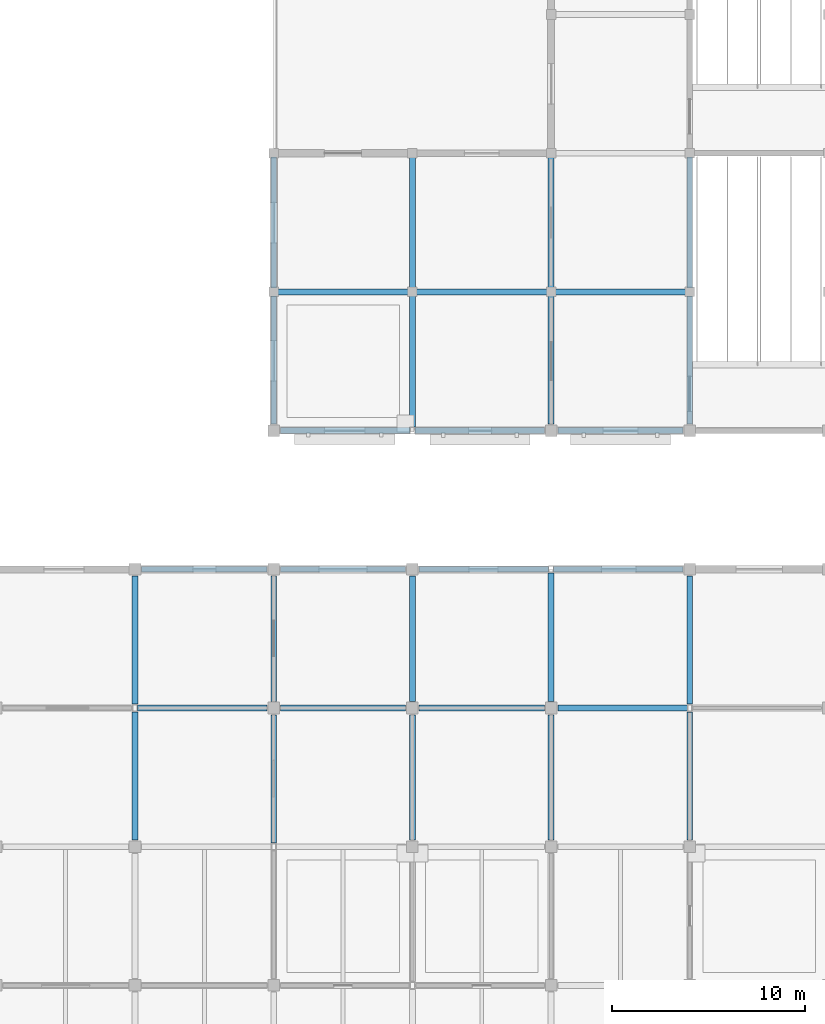
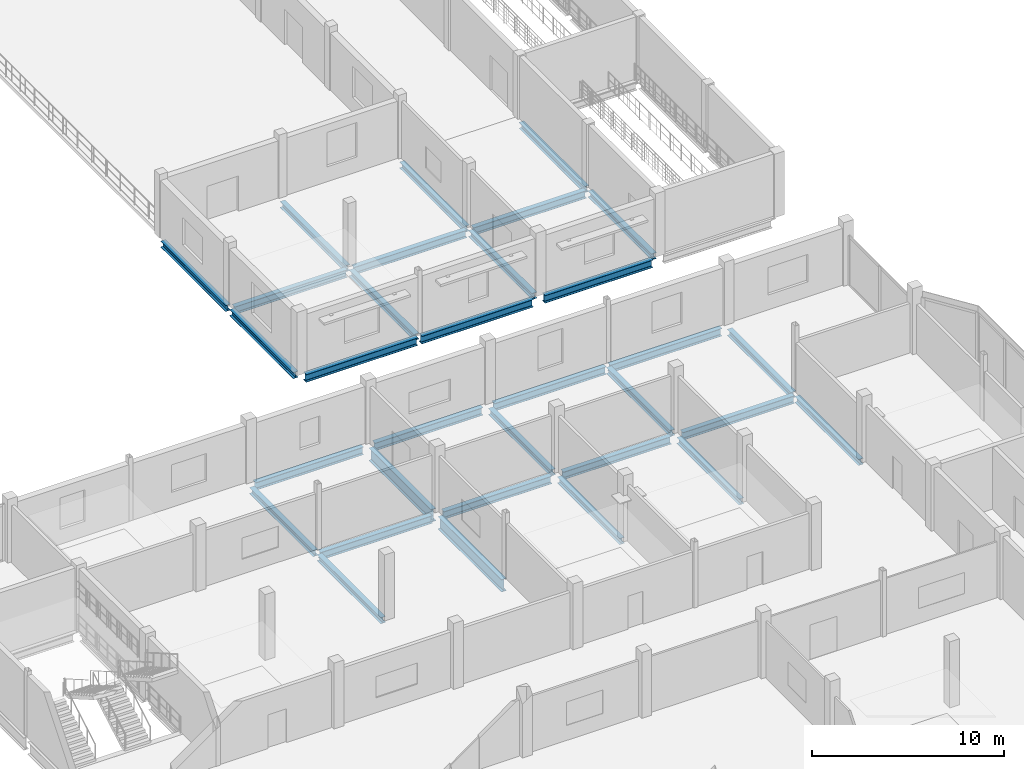
# One storey, part 31 of 51: 32 beams.
"""IFC4 building model written with IfcOpenShell, lengths in metres."""

from ifc_helpers import new_model, si_unit, direction, frame, origin, origin_2d, place, context, subcontext, project, spatial, i_section, extrude, material, material_profile, profile_set, type_object, element, save


model = new_model("IFC4")

# Units and contexts
model_context = context("Model", 3, precision=1e-05, world=origin(), true_north=direction((0.0, 1.0)))
body_context = subcontext(model_context, "Body", "Model", "MODEL_VIEW")
ifc_project = project(units=[si_unit("LENGTHUNIT", "METRE"), si_unit("AREAUNIT", "SQUARE_METRE"), si_unit("VOLUMEUNIT", "CUBIC_METRE"), si_unit("PLANEANGLEUNIT", "RADIAN"), si_unit("MASSUNIT", "GRAM", prefix="KILO")], contexts=[model_context])

# Site, building, storey
site_placement = place(None, origin())
site = spatial("IfcSite", under=ifc_project, at=site_placement, CompositionType="ELEMENT")
building_placement = place(site_placement, origin())
building = spatial("IfcBuilding", under=site, at=building_placement, Name="Vesperath Aquatics Centre", CompositionType="ELEMENT")
storey_placement = place(building_placement, frame((0.0, 0.0, 15.0)))
storey = spatial("IfcBuildingStorey", under=building, at=storey_placement, Name="L03", CompositionType="ELEMENT", Elevation=15.0)

# Beams
ifc_material_1 = material(Name="Steel Q355D", Category="steel")
ifc_material_profile_1 = material_profile(ifc_material_1, i_section(OverallWidth=0.300048828125, OverallDepth=0.800048828125, WebThickness=0.013916015625, FlangeThickness=0.02587890625, FilletRadius=0.028076171875, at=origin_2d()), Name="HN 800x300x14x26")
ifc_profile_set_1 = profile_set([ifc_material_profile_1], Name="Steel Q355D")
beam_type_1 = type_object("IfcBeamType", Name="BM-G07", PredefinedType="BEAM", material=ifc_profile_set_1)
beam_1_placement = place(storey_placement, frame((144.0, 29.0, -0.639892578125), z_axis=(0.0, 1.0, 0.0), x_axis=(-1.0, 0.0, 0.0)))
element("IfcBeam", 1, at=beam_1_placement, inside=storey, type_object=beam_type_1, Name="Floor Girder B07 L03 21 E-F", PredefinedType="BEAM", context=body_context, shape_type="SweptSolid", body=[
    extrude(i_section(OverallWidth=0.300048828125, OverallDepth=0.800048828125, WebThickness=0.013916015625, FlangeThickness=0.02587890625, FilletRadius=0.028076171875, at=origin_2d()), origin(), (0.0, 0.0, 1.0), 6.64990234375),
])
beam_2_placement = place(storey_placement, frame((144.0, 36.35009765625, -0.639892578125), z_axis=(0.0, 1.0, 0.0), x_axis=(-1.0, 0.0, 0.0)))
element("IfcBeam", 2, at=beam_2_placement, inside=storey, type_object=beam_type_1, Name="Floor Girder B07 L03 21 F-G", PredefinedType="BEAM", context=body_context, shape_type="SweptSolid", body=[
    extrude(i_section(OverallWidth=0.300048828125, OverallDepth=0.800048828125, WebThickness=0.013916015625, FlangeThickness=0.02587890625, FilletRadius=0.028076171875, at=origin_2d()), origin(), (0.0, 0.0, 1.0), 6.5),
])
ifc_material_2 = material(Name="Steel Q355C", Category="steel")
ifc_material_profile_2 = material_profile(ifc_material_2, i_section(OverallWidth=0.300048828125, OverallDepth=0.488037109375, WebThickness=0.010986328125, FlangeThickness=0.01806640625, FilletRadius=0.02587890625, at=origin_2d()), Name="HM 488x300x11x18")
ifc_profile_set_2 = profile_set([ifc_material_profile_2], Name="Steel Q355C")
beam_type_2 = type_object("IfcBeamType", Name="BM-G10", PredefinedType="BEAM", material=ifc_profile_set_2)
beam_3_placement = place(storey_placement, frame((136.925048828125, 36.0, -0.48388671875), z_axis=(1.0, 0.0, 0.0), x_axis=(0.0, 1.0, 0.0)))
element("IfcBeam", 3, at=beam_3_placement, inside=storey, type_object=beam_type_2, Name="Floor Girder B10 L03 F 20-21", PredefinedType="BEAM", context=body_context, shape_type="SweptSolid", body=[
    extrude(i_section(OverallWidth=0.300048828125, OverallDepth=0.488037109375, WebThickness=0.010986328125, FlangeThickness=0.01806640625, FilletRadius=0.02587890625, at=origin_2d()), origin(), (0.0, 0.0, 1.0), 6.724853515625),
])
for number, where, z_axis, x_axis, name in (
    (4, (137.14990234375, 43.199951171875, -0.48388671875), (1.0, 0.0, 0.0), (0.0, 1.0, 0.0), "Floor Girder B10 L03 G 20-21"),
    (5, (144.35009765625, 36.0, -0.48388671875), (1.0, 0.0, 0.0), (0.0, 1.0, 0.0), "Floor Girder B10 L03 F 21-22"),
    (6, (144.35009765625, 43.199951171875, -0.48388671875), (1.0, 0.0, 0.0), (0.0, 1.0, 0.0), "Floor Girder B10 L03 G 21-22"),
):
    element("IfcBeam", number, at=place(storey_placement, frame(where, z_axis=z_axis, x_axis=x_axis)), inside=storey, type_object=beam_type_2, Name=name, PredefinedType="BEAM", context=body_context, shape_type="SweptSolid", body=[
        extrude(i_section(OverallWidth=0.300048828125, OverallDepth=0.488037109375, WebThickness=0.010986328125, FlangeThickness=0.01806640625, FilletRadius=0.02587890625, at=origin_2d()), origin(), (0.0, 0.0, 1.0), 6.5),
    ])
beam_4_placement = place(storey_placement, frame((144.35009765625, 50.39990234375, -0.48388671875), z_axis=(1.0, 0.0, 0.0), x_axis=(0.0, 1.0, 0.0)))
element("IfcBeam", 7, at=beam_4_placement, inside=storey, type_object=beam_type_2, Name="Floor Girder B10 L03 H 21-22", PredefinedType="BEAM", context=body_context, shape_type="SweptSolid", body=[
    extrude(i_section(OverallWidth=0.300048828125, OverallDepth=0.488037109375, WebThickness=0.010986328125, FlangeThickness=0.01806640625, FilletRadius=0.02587890625, at=origin_2d()), origin(), (0.0, 0.0, 1.0), 6.724853515625),
])
beam_5_placement = place(storey_placement, frame((144.203125, 57.60009765625, -0.48388671875), z_axis=(1.0, 0.0, 0.0), x_axis=(0.0, 1.0, 0.0)))
element("IfcBeam", 8, at=beam_5_placement, inside=storey, type_object=beam_type_2, Name="Floor Girder B10 L03 J 21-22", PredefinedType="BEAM", context=body_context, shape_type="SweptSolid", body=[
    extrude(i_section(OverallWidth=0.300048828125, OverallDepth=0.488037109375, WebThickness=0.010986328125, FlangeThickness=0.01806640625, FilletRadius=0.02587890625, at=origin_2d()), origin(), (0.0, 0.0, 1.0), 6.793701171875),
])
beam_6_placement = place(storey_placement, frame((151.550048828125, 36.0, -0.48388671875), z_axis=(1.0, 0.0, 0.0), x_axis=(0.0, 1.0, 0.0)))
element("IfcBeam", 9, at=beam_6_placement, inside=storey, type_object=beam_type_2, Name="Floor Girder B10 L03 F 22-23", PredefinedType="BEAM", context=body_context, shape_type="SweptSolid", body=[
    extrude(i_section(OverallWidth=0.300048828125, OverallDepth=0.488037109375, WebThickness=0.010986328125, FlangeThickness=0.01806640625, FilletRadius=0.02587890625, at=origin_2d()), origin(), (0.0, 0.0, 1.0), 6.5),
])
beam_7_placement = place(storey_placement, frame((151.550048828125, 43.199951171875, -0.48388671875), z_axis=(1.0, 0.0, 0.0), x_axis=(0.0, 1.0, 0.0)))
element("IfcBeam", 10, at=beam_7_placement, inside=storey, type_object=beam_type_2, Name="Floor Girder B10 L03 G 22-23", PredefinedType="BEAM", context=body_context, shape_type="SweptSolid", body=[
    extrude(i_section(OverallWidth=0.300048828125, OverallDepth=0.488037109375, WebThickness=0.010986328125, FlangeThickness=0.01806640625, FilletRadius=0.02587890625, at=origin_2d()), origin(), (0.0, 0.0, 1.0), 6.724853515625),
])
beam_8_placement = place(storey_placement, frame((151.324951171875, 50.39990234375, -0.48388671875), z_axis=(1.0, 0.0, 0.0), x_axis=(0.0, 1.0, 0.0)))
element("IfcBeam", 11, at=beam_8_placement, inside=storey, type_object=beam_type_2, Name="Floor Girder B10 L03 H 22-23", PredefinedType="BEAM", context=body_context, shape_type="SweptSolid", body=[
    extrude(i_section(OverallWidth=0.300048828125, OverallDepth=0.488037109375, WebThickness=0.010986328125, FlangeThickness=0.01806640625, FilletRadius=0.02587890625, at=origin_2d()), origin(), (0.0, 0.0, 1.0), 6.72509765625),
])
beam_9_placement = place(storey_placement, frame((151.4033203125, 57.60009765625, -0.48388671875), z_axis=(1.0, 0.0, 0.0), x_axis=(0.0, 1.0, 0.0)))
element("IfcBeam", 12, at=beam_9_placement, inside=storey, type_object=beam_type_2, Name="Floor Girder B10 L03 J 22-23", PredefinedType="BEAM", context=body_context, shape_type="SweptSolid", body=[
    extrude(i_section(OverallWidth=0.300048828125, OverallDepth=0.488037109375, WebThickness=0.010986328125, FlangeThickness=0.01806640625, FilletRadius=0.02587890625, at=origin_2d()), origin(), (0.0, 0.0, 1.0), 6.79345703125),
])
for number, where, z_axis, x_axis, name in (
    (13, (158.75, 36.0, -0.48388671875), (1.0, 0.0, 0.0), (0.0, 1.0, 0.0), "Floor Girder B10 L03 F 23-24"),
    (14, (158.52490234375, 43.199951171875, -0.48388671875), (1.0, 0.0, 0.0), (0.0, 1.0, 0.0), "Floor Girder B10 L03 G 23-24"),
):
    element("IfcBeam", number, at=place(storey_placement, frame(where, z_axis=z_axis, x_axis=x_axis)), inside=storey, type_object=beam_type_2, Name=name, PredefinedType="BEAM", context=body_context, shape_type="SweptSolid", body=[
        extrude(i_section(OverallWidth=0.300048828125, OverallDepth=0.488037109375, WebThickness=0.010986328125, FlangeThickness=0.01806640625, FilletRadius=0.02587890625, at=origin_2d()), origin(), (0.0, 0.0, 1.0), 6.72509765625),
    ])
beam_10_placement = place(storey_placement, frame((158.75, 50.39990234375, -0.48388671875), z_axis=(1.0, 0.0, 0.0), x_axis=(0.0, 1.0, 0.0)))
element("IfcBeam", 15, at=beam_10_placement, inside=storey, type_object=beam_type_2, Name="Floor Girder B10 L03 H 23-24", PredefinedType="BEAM", context=body_context, shape_type="SweptSolid", body=[
    extrude(i_section(OverallWidth=0.300048828125, OverallDepth=0.488037109375, WebThickness=0.010986328125, FlangeThickness=0.01806640625, FilletRadius=0.02587890625, at=origin_2d()), origin(), (0.0, 0.0, 1.0), 6.5),
])
beam_11_placement = place(storey_placement, frame((158.603271484375, 57.60009765625, -0.48388671875), z_axis=(1.0, 0.0, 0.0), x_axis=(0.0, 1.0, 0.0)))
element("IfcBeam", 16, at=beam_11_placement, inside=storey, type_object=beam_type_2, Name="Floor Girder B10 L03 J 23-24", PredefinedType="BEAM", context=body_context, shape_type="SweptSolid", body=[
    extrude(i_section(OverallWidth=0.300048828125, OverallDepth=0.488037109375, WebThickness=0.010986328125, FlangeThickness=0.01806640625, FilletRadius=0.02587890625, at=origin_2d()), origin(), (0.0, 0.0, 1.0), 6.79345703125),
])
ifc_material_profile_3 = material_profile(ifc_material_2, i_section(OverallWidth=0.300048828125, OverallDepth=0.389892578125, WebThickness=0.010009765625, FlangeThickness=0.01611328125, FilletRadius=0.02197265625, at=origin_2d()), Name="HM 390x300x10x16")
ifc_profile_set_3 = profile_set([ifc_material_profile_3], Name="Steel Q355C")
beam_type_3 = type_object("IfcBeamType", Name="BM-G11", PredefinedType="BEAM", material=ifc_profile_set_3)
for number, where, z_axis, x_axis, name in (
    (17, (136.800048828125, 29.14990234375, -0.43505859375), (0.0, 1.0, 0.0), (-1.0, 0.0, 0.0), "Floor Girder B11 L03 20 E-F"),
    (18, (136.800048828125, 36.199951171875, -0.43505859375), (0.0, 1.0, 0.0), (-1.0, 0.0, 0.0), "Floor Girder B11 L03 20 F-G"),
):
    element("IfcBeam", number, at=place(storey_placement, frame(where, z_axis=z_axis, x_axis=x_axis)), inside=storey, type_object=beam_type_3, Name=name, PredefinedType="BEAM", context=body_context, shape_type="SweptSolid", body=[
        extrude(i_section(OverallWidth=0.300048828125, OverallDepth=0.389892578125, WebThickness=0.010009765625, FlangeThickness=0.01611328125, FilletRadius=0.02197265625, at=origin_2d()), origin(), (0.0, 0.0, 1.0), 6.650146484375),
    ])
beam_12_placement = place(storey_placement, frame((144.0, 50.75, -0.43505859375), z_axis=(0.0, 1.0, 0.0), x_axis=(-1.0, 0.0, 0.0)))
element("IfcBeam", 19, at=beam_12_placement, inside=storey, type_object=beam_type_3, Name="Floor Girder B11 L03 21 H-J", PredefinedType="BEAM", context=body_context, shape_type="SweptSolid", body=[
    extrude(i_section(OverallWidth=0.300048828125, OverallDepth=0.389892578125, WebThickness=0.010009765625, FlangeThickness=0.01611328125, FilletRadius=0.02197265625, at=origin_2d()), origin(), (0.0, 0.0, 1.0), 6.646728515625),
])
beam_13_placement = place(storey_placement, frame((144.0, 57.80322265625, -0.43505859375), z_axis=(0.0, 1.0, 0.0), x_axis=(-1.0, 0.0, 0.0)))
element("IfcBeam", 20, at=beam_13_placement, inside=storey, type_object=beam_type_3, Name="Floor Girder B11 L03 21 J-K", PredefinedType="BEAM", context=body_context, shape_type="SweptSolid", body=[
    extrude(i_section(OverallWidth=0.300048828125, OverallDepth=0.389892578125, WebThickness=0.010009765625, FlangeThickness=0.01611328125, FilletRadius=0.02197265625, at=origin_2d()), origin(), (0.0, 0.0, 1.0), 6.79345703125),
])
for number, where, z_axis, x_axis, name in (
    (21, (151.199951171875, 29.14990234375, -0.43505859375), (0.0, 1.0, 0.0), (-1.0, 0.0, 0.0), "Floor Girder B11 L03 22 E-F"),
    (22, (151.199951171875, 36.35009765625, -0.43505859375), (0.0, 1.0, 0.0), (-1.0, 0.0, 0.0), "Floor Girder B11 L03 22 F-G"),
):
    element("IfcBeam", number, at=place(storey_placement, frame(where, z_axis=z_axis, x_axis=x_axis)), inside=storey, type_object=beam_type_3, Name=name, PredefinedType="BEAM", context=body_context, shape_type="SweptSolid", body=[
        extrude(i_section(OverallWidth=0.300048828125, OverallDepth=0.389892578125, WebThickness=0.010009765625, FlangeThickness=0.01611328125, FilletRadius=0.02197265625, at=origin_2d()), origin(), (0.0, 0.0, 1.0), 6.5),
    ])
beam_14_placement = place(storey_placement, frame((151.199951171875, 50.60009765625, -0.43505859375), z_axis=(0.0, 1.0, 0.0), x_axis=(-1.0, 0.0, 0.0)))
element("IfcBeam", 23, at=beam_14_placement, inside=storey, type_object=beam_type_3, Name="Floor Girder B11 L03 22 H-J", PredefinedType="BEAM", context=body_context, shape_type="SweptSolid", body=[
    extrude(i_section(OverallWidth=0.300048828125, OverallDepth=0.389892578125, WebThickness=0.010009765625, FlangeThickness=0.01611328125, FilletRadius=0.02197265625, at=origin_2d()), origin(), (0.0, 0.0, 1.0), 6.796630859375),
])
beam_15_placement = place(storey_placement, frame((151.199951171875, 57.80322265625, -0.43505859375), z_axis=(0.0, 1.0, 0.0), x_axis=(-1.0, 0.0, 0.0)))
element("IfcBeam", 24, at=beam_15_placement, inside=storey, type_object=beam_type_3, Name="Floor Girder B11 L03 22 J-K", PredefinedType="BEAM", context=body_context, shape_type="SweptSolid", body=[
    extrude(i_section(OverallWidth=0.300048828125, OverallDepth=0.389892578125, WebThickness=0.010009765625, FlangeThickness=0.01611328125, FilletRadius=0.02197265625, at=origin_2d()), origin(), (0.0, 0.0, 1.0), 6.79345703125),
])
beam_16_placement = place(storey_placement, frame((158.39990234375, 29.14990234375, -0.43505859375), z_axis=(0.0, 1.0, 0.0), x_axis=(-1.0, 0.0, 0.0)))
element("IfcBeam", 25, at=beam_16_placement, inside=storey, type_object=beam_type_3, Name="Floor Girder B11 L03 23 E-F", PredefinedType="BEAM", context=body_context, shape_type="SweptSolid", body=[
    extrude(i_section(OverallWidth=0.300048828125, OverallDepth=0.389892578125, WebThickness=0.010009765625, FlangeThickness=0.01611328125, FilletRadius=0.02197265625, at=origin_2d()), origin(), (0.0, 0.0, 1.0), 6.5),
])
beam_17_placement = place(storey_placement, frame((158.39990234375, 36.35009765625, -0.43505859375), z_axis=(0.0, 1.0, 0.0), x_axis=(-1.0, 0.0, 0.0)))
element("IfcBeam", 26, at=beam_17_placement, inside=storey, type_object=beam_type_3, Name="Floor Girder B11 L03 23 F-G", PredefinedType="BEAM", context=body_context, shape_type="SweptSolid", body=[
    extrude(i_section(OverallWidth=0.300048828125, OverallDepth=0.389892578125, WebThickness=0.010009765625, FlangeThickness=0.01611328125, FilletRadius=0.02197265625, at=origin_2d()), origin(), (0.0, 0.0, 1.0), 6.64990234375),
])
beam_18_placement = place(storey_placement, frame((158.39990234375, 50.75, -0.43505859375), z_axis=(0.0, 1.0, 0.0), x_axis=(-1.0, 0.0, 0.0)))
element("IfcBeam", 27, at=beam_18_placement, inside=storey, type_object=beam_type_3, Name="Floor Girder B11 L03 23 H-J", PredefinedType="BEAM", context=body_context, shape_type="SweptSolid", body=[
    extrude(i_section(OverallWidth=0.300048828125, OverallDepth=0.389892578125, WebThickness=0.010009765625, FlangeThickness=0.01611328125, FilletRadius=0.02197265625, at=origin_2d()), origin(), (0.0, 0.0, 1.0), 6.646728515625),
])
beam_19_placement = place(storey_placement, frame((158.39990234375, 57.80322265625, -0.43505859375), z_axis=(0.0, 1.0, 0.0), x_axis=(-1.0, 0.0, 0.0)))
element("IfcBeam", 28, at=beam_19_placement, inside=storey, type_object=beam_type_3, Name="Floor Girder B11 L03 23 J-K", PredefinedType="BEAM", context=body_context, shape_type="SweptSolid", body=[
    extrude(i_section(OverallWidth=0.300048828125, OverallDepth=0.389892578125, WebThickness=0.010009765625, FlangeThickness=0.01611328125, FilletRadius=0.02197265625, at=origin_2d()), origin(), (0.0, 0.0, 1.0), 6.79345703125),
])
for number, where, z_axis, x_axis, name in (
    (29, (165.60009765625, 29.14990234375, -0.43505859375), (0.0, 1.0, 0.0), (-1.0, 0.0, 0.0), "Floor Girder B11 L03 24 E-F"),
    (30, (165.60009765625, 36.199951171875, -0.43505859375), (0.0, 1.0, 0.0), (-1.0, 0.0, 0.0), "Floor Girder B11 L03 24 F-G"),
):
    element("IfcBeam", number, at=place(storey_placement, frame(where, z_axis=z_axis, x_axis=x_axis)), inside=storey, type_object=beam_type_3, Name=name, PredefinedType="BEAM", context=body_context, shape_type="SweptSolid", body=[
        extrude(i_section(OverallWidth=0.300048828125, OverallDepth=0.389892578125, WebThickness=0.010009765625, FlangeThickness=0.01611328125, FilletRadius=0.02197265625, at=origin_2d()), origin(), (0.0, 0.0, 1.0), 6.650146484375),
    ])
beam_20_placement = place(storey_placement, frame((165.60009765625, 50.75, -0.43505859375), z_axis=(0.0, 1.0, 0.0), x_axis=(-1.0, 0.0, 0.0)))
element("IfcBeam", 31, at=beam_20_placement, inside=storey, type_object=beam_type_3, Name="Floor Girder B11 L03 24 H-J", PredefinedType="BEAM", context=body_context, shape_type="SweptSolid", body=[
    extrude(i_section(OverallWidth=0.300048828125, OverallDepth=0.389892578125, WebThickness=0.010009765625, FlangeThickness=0.01611328125, FilletRadius=0.02197265625, at=origin_2d()), origin(), (0.0, 0.0, 1.0), 6.646728515625),
])
beam_21_placement = place(storey_placement, frame((165.60009765625, 57.80322265625, -0.43505859375), z_axis=(0.0, 1.0, 0.0), x_axis=(-1.0, 0.0, 0.0)))
element("IfcBeam", 32, at=beam_21_placement, inside=storey, type_object=beam_type_3, Name="Floor Girder B11 L03 24 J-K", PredefinedType="BEAM", context=body_context, shape_type="SweptSolid", body=[
    extrude(i_section(OverallWidth=0.300048828125, OverallDepth=0.389892578125, WebThickness=0.010009765625, FlangeThickness=0.01611328125, FilletRadius=0.02197265625, at=origin_2d()), origin(), (0.0, 0.0, 1.0), 6.79345703125),
])

save(model, "model.ifc")
